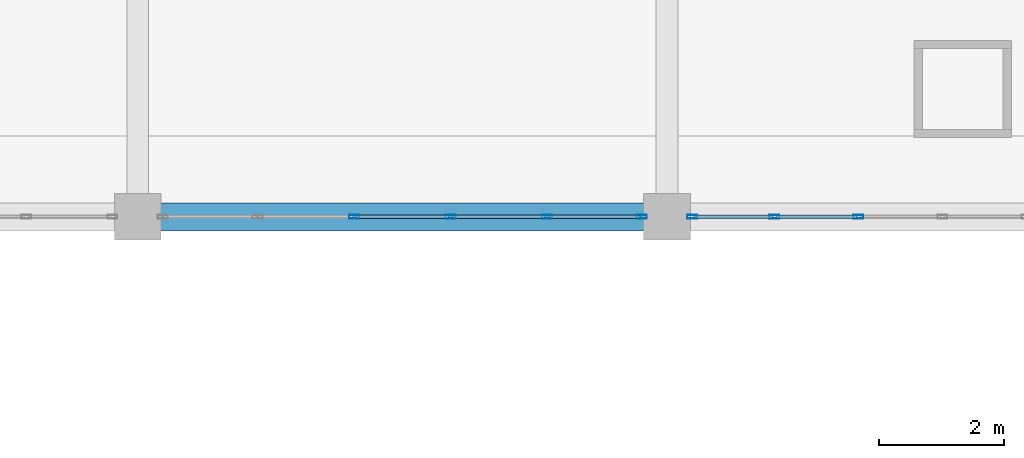
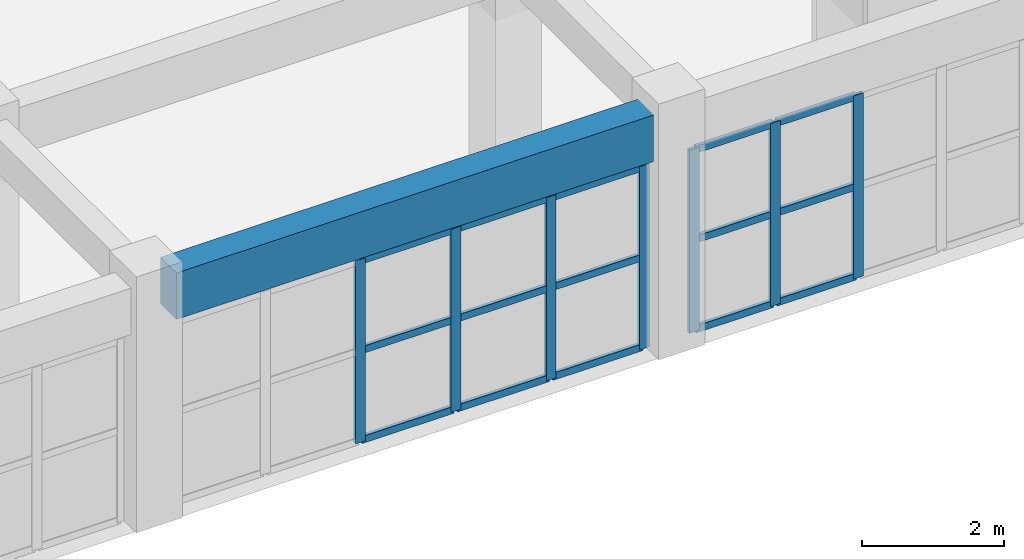
# One storey, part 43 of 90: 22 members, 1 beam, 2 elements without a shape of their own.
"""IFC4 building model written with IfcOpenShell, lengths in metres."""

from ifc_helpers import new_model, si_unit, direction, frame, origin, origin_2d, place, context, subcontext, project, spatial, rectangle, hollow_rectangle, extrude, material, layer, layer_set, material_profile, profile_set, type_object, element, aggregate, save


model = new_model("IFC4")

# Units and contexts
model_context = context("Model", 3, precision=1e-05, world=origin(), true_north=direction((0.0, 1.0)))
body_context = subcontext(model_context, "Body", "Model", "MODEL_VIEW")
ifc_project = project(units=[si_unit("LENGTHUNIT", "METRE"), si_unit("AREAUNIT", "SQUARE_METRE"), si_unit("VOLUMEUNIT", "CUBIC_METRE"), si_unit("PLANEANGLEUNIT", "RADIAN"), si_unit("MASSUNIT", "GRAM", prefix="KILO")], contexts=[model_context])

# Site, building, storey
site_placement = place(None, origin())
site = spatial("IfcSite", under=ifc_project, at=site_placement, CompositionType="ELEMENT")
building_placement = place(site_placement, origin())
building = spatial("IfcBuilding", under=site, at=building_placement, Name="Muzn Square Opera House", CompositionType="ELEMENT")
storey_placement = place(building_placement, frame((0.0, 0.0, 9.800048828125)))
storey = spatial("IfcBuildingStorey", under=building, at=storey_placement, Name="L02", CompositionType="ELEMENT", Elevation=9.800048828125)

# Curtain wall, members
ifc_material_1 = material(Name="Low-E laminated acoustic double glazing", Category="glass")
ifc_layer_1 = layer(ifc_material_1, 0.159912109375, Name="Low-E laminated acoustic double glazing", Category="glass")
ifc_layer_set_1 = layer_set([ifc_layer_1], Name="Low-E laminated acoustic double glazing")
curtain_wall_type_1 = type_object("IfcCurtainWallType", Name="Glazed Curtain Wall EastCloisterN 7750x3150", PredefinedType="USERDEFINED", material=ifc_layer_set_1)
curtain_wall_1_placement = place(storey_placement, origin())
curtain_wall_1 = element("IfcCurtainWall", 1, at=curtain_wall_1_placement, inside=storey, type_object=curtain_wall_type_1, Name="Glazed Curtain Wall CW-L02-102", ObjectType="GLAZED CURTAIN WALL", PredefinedType="USERDEFINED")
ifc_material_2 = material(Name="Anodised bronze aluminium 6063-T6", Category="metal")
ifc_material_profile_1 = material_profile(ifc_material_2, hollow_rectangle(XDim=0.06005859375, YDim=0.159912109375, WallThickness=0.00390625, at=origin_2d()), Name="ALU 160x60x4", Category="metal")
ifc_profile_set_1 = profile_set([ifc_material_profile_1], Name="Anodised bronze aluminium 6063-T6")
member_type_1 = type_object("IfcMemberType", Name="Curtain Wall Mullion 160x60", PredefinedType="MULLION", material=ifc_profile_set_1)
member_1_placement = place(storey_placement, frame((144.47509765625, 54.199951171875, 0.0), z_axis=(0.0, 0.0, 1.0), x_axis=(0.0, 1.0, 0.0)))
member_1 = element("IfcMember", 2, at=member_1_placement, type_object=member_type_1, Name="CW-ECN-77x31 mullion 3", PredefinedType="MULLION", context=body_context, shape_type="SweptSolid", body=[
    extrude(hollow_rectangle(XDim=0.06005859375, YDim=0.159912109375, WallThickness=0.00390625, at=origin_2d()), origin(), (0.0, 0.0, 1.0), 3.14990234375),
])
member_2_placement = place(storey_placement, frame((146.02490234375, 54.199951171875, 0.0), z_axis=(0.0, 0.0, 1.0), x_axis=(0.0, 1.0, 0.0)))
member_2 = element("IfcMember", 3, at=member_2_placement, type_object=member_type_1, Name="CW-ECN-77x31 mullion 4", PredefinedType="MULLION", context=body_context, shape_type="SweptSolid", body=[
    extrude(hollow_rectangle(XDim=0.06005859375, YDim=0.159912109375, WallThickness=0.00390625, at=origin_2d()), origin(), (0.0, 0.0, 1.0), 3.14990234375),
])
member_3_placement = place(storey_placement, frame((147.574951171875, 54.199951171875, 0.0), z_axis=(0.0, 0.0, 1.0), x_axis=(0.0, 1.0, 0.0)))
member_3 = element("IfcMember", 4, at=member_3_placement, type_object=member_type_1, Name="CW-ECN-77x31 mullion 5", PredefinedType="MULLION", context=body_context, shape_type="SweptSolid", body=[
    extrude(hollow_rectangle(XDim=0.06005859375, YDim=0.159912109375, WallThickness=0.00390625, at=origin_2d()), origin(), (0.0, 0.0, 1.0), 3.14990234375),
])
member_4_placement = place(storey_placement, frame((149.094970703125, 54.199951171875, 0.0), z_axis=(0.0, 0.0, 1.0), x_axis=(0.0, 1.0, 0.0)))
member_4 = element("IfcMember", 5, at=member_4_placement, type_object=member_type_1, Name="CW-ECN-77x31 mullion 6", PredefinedType="MULLION", context=body_context, shape_type="SweptSolid", body=[
    extrude(hollow_rectangle(XDim=0.06005859375, YDim=0.159912109375, WallThickness=0.00390625, at=origin_2d()), origin(), (0.0, 0.0, 1.0), 3.14990234375),
])

ifc_layer_2 = layer(ifc_material_1, 0.159912109375, Name="Low-E laminated acoustic double glazing", Category="glass")
ifc_layer_set_2 = layer_set([ifc_layer_2], Name="Low-E laminated acoustic double glazing")
curtain_wall_type_2 = type_object("IfcCurtainWallType", Name="Glazed Curtain Wall EastCloisterN 6750x3150", PredefinedType="USERDEFINED", material=ifc_layer_set_2)
curtain_wall_2_placement = place(storey_placement, origin())
curtain_wall_2 = element("IfcCurtainWall", 6, at=curtain_wall_2_placement, inside=storey, type_object=curtain_wall_type_2, Name="Glazed Curtain Wall CW-L02-104", ObjectType="GLAZED CURTAIN WALL", PredefinedType="USERDEFINED")
member_5_placement = place(storey_placement, frame((149.905029296875, 54.199951171875, 0.0), z_axis=(0.0, 0.0, 1.0), x_axis=(0.0, 1.0, 0.0)))
member_5 = element("IfcMember", 7, at=member_5_placement, type_object=member_type_1, Name="CW-ECN-67x31 mullion 1", PredefinedType="MULLION", context=body_context, shape_type="SweptSolid", body=[
    extrude(hollow_rectangle(XDim=0.06005859375, YDim=0.159912109375, WallThickness=0.00390625, at=origin_2d()), origin(), (0.0, 0.0, 1.0), 3.14990234375),
])
member_6_placement = place(storey_placement, frame((151.22509765625, 54.199951171875, 0.0), z_axis=(0.0, 0.0, 1.0), x_axis=(0.0, 1.0, 0.0)))
member_6 = element("IfcMember", 8, at=member_6_placement, type_object=member_type_1, Name="CW-ECN-67x31 mullion 2", PredefinedType="MULLION", context=body_context, shape_type="SweptSolid", body=[
    extrude(hollow_rectangle(XDim=0.06005859375, YDim=0.159912109375, WallThickness=0.00390625, at=origin_2d()), origin(), (0.0, 0.0, 1.0), 3.14990234375),
])
member_7_placement = place(storey_placement, frame((152.574951171875, 54.199951171875, 0.0), z_axis=(0.0, 0.0, 1.0), x_axis=(0.0, 1.0, 0.0)))
member_7 = element("IfcMember", 9, at=member_7_placement, type_object=member_type_1, Name="CW-ECN-67x31 mullion 3", PredefinedType="MULLION", context=body_context, shape_type="SweptSolid", body=[
    extrude(hollow_rectangle(XDim=0.06005859375, YDim=0.159912109375, WallThickness=0.00390625, at=origin_2d()), origin(), (0.0, 0.0, 1.0), 3.14990234375),
])

# Member
ifc_material_profile_2 = material_profile(ifc_material_2, hollow_rectangle(XDim=0.06005859375, YDim=0.1201171875, WallThickness=0.00390625, at=origin_2d()), Name="ALU 120x60x4", Category="metal")
ifc_profile_set_2 = profile_set([ifc_material_profile_2], Name="Anodised bronze aluminium 6063-T6")
member_type_2 = type_object("IfcMemberType", Name="Curtain Wall Transom 120x60", PredefinedType="USERDEFINED", material=ifc_profile_set_2)
member_8_placement = place(storey_placement, frame((144.5048828125, 54.199951171875, 0.030029296875), z_axis=(1.0, 0.0, 0.0), x_axis=(0.0, 1.0, 0.0)))
member_8 = element("IfcMember", 10, at=member_8_placement, type_object=member_type_2, Name="CW-ECN-77x31 transom 3.1", ObjectType="TRANSOM", PredefinedType="USERDEFINED", context=body_context, shape_type="SweptSolid", body=[
    extrude(hollow_rectangle(XDim=0.06005859375, YDim=0.1201171875, WallThickness=0.00390625, at=origin_2d()), origin(), (0.0, 0.0, 1.0), 1.490234375),
])

member_9_placement = place(storey_placement, frame((144.5048828125, 54.199951171875, 1.574951171875), z_axis=(1.0, 0.0, 0.0), x_axis=(0.0, 1.0, 0.0)))
member_9 = element("IfcMember", 11, at=member_9_placement, type_object=member_type_2, Name="CW-ECN-77x31 transom 3.2", ObjectType="TRANSOM", PredefinedType="USERDEFINED", context=body_context, shape_type="SweptSolid", body=[
    extrude(hollow_rectangle(XDim=0.06005859375, YDim=0.1201171875, WallThickness=0.00390625, at=origin_2d()), origin(), (0.0, 0.0, 1.0), 1.490234375),
])

member_10_placement = place(storey_placement, frame((144.5048828125, 54.199951171875, 3.119873046875), z_axis=(1.0, 0.0, 0.0), x_axis=(0.0, 1.0, 0.0)))
member_10 = element("IfcMember", 12, at=member_10_placement, type_object=member_type_2, Name="CW-ECN-77x31 transom 3.3", ObjectType="TRANSOM", PredefinedType="USERDEFINED", context=body_context, shape_type="SweptSolid", body=[
    extrude(hollow_rectangle(XDim=0.06005859375, YDim=0.1201171875, WallThickness=0.00390625, at=origin_2d()), origin(), (0.0, 0.0, 1.0), 1.490234375),
])

member_11_placement = place(storey_placement, frame((146.054931640625, 54.199951171875, 0.030029296875), z_axis=(1.0, 0.0, 0.0), x_axis=(0.0, 1.0, 0.0)))
member_11 = element("IfcMember", 13, at=member_11_placement, type_object=member_type_2, Name="CW-ECN-77x31 transom 4.1", ObjectType="TRANSOM", PredefinedType="USERDEFINED", context=body_context, shape_type="SweptSolid", body=[
    extrude(hollow_rectangle(XDim=0.06005859375, YDim=0.1201171875, WallThickness=0.00390625, at=origin_2d()), origin(), (0.0, 0.0, 1.0), 1.489990234375),
])

member_12_placement = place(storey_placement, frame((146.054931640625, 54.199951171875, 1.574951171875), z_axis=(1.0, 0.0, 0.0), x_axis=(0.0, 1.0, 0.0)))
member_12 = element("IfcMember", 14, at=member_12_placement, type_object=member_type_2, Name="CW-ECN-77x31 transom 4.2", ObjectType="TRANSOM", PredefinedType="USERDEFINED", context=body_context, shape_type="SweptSolid", body=[
    extrude(hollow_rectangle(XDim=0.06005859375, YDim=0.1201171875, WallThickness=0.00390625, at=origin_2d()), origin(), (0.0, 0.0, 1.0), 1.489990234375),
])

member_13_placement = place(storey_placement, frame((146.054931640625, 54.199951171875, 3.119873046875), z_axis=(1.0, 0.0, 0.0), x_axis=(0.0, 1.0, 0.0)))
member_13 = element("IfcMember", 15, at=member_13_placement, type_object=member_type_2, Name="CW-ECN-77x31 transom 4.3", ObjectType="TRANSOM", PredefinedType="USERDEFINED", context=body_context, shape_type="SweptSolid", body=[
    extrude(hollow_rectangle(XDim=0.06005859375, YDim=0.1201171875, WallThickness=0.00390625, at=origin_2d()), origin(), (0.0, 0.0, 1.0), 1.489990234375),
])

member_14_placement = place(storey_placement, frame((147.60498046875, 54.199951171875, 0.030029296875), z_axis=(1.0, 0.0, 0.0), x_axis=(0.0, 1.0, 0.0)))
member_14 = element("IfcMember", 16, at=member_14_placement, type_object=member_type_2, Name="CW-ECN-77x31 transom 5.1", ObjectType="TRANSOM", PredefinedType="USERDEFINED", context=body_context, shape_type="SweptSolid", body=[
    extrude(hollow_rectangle(XDim=0.06005859375, YDim=0.1201171875, WallThickness=0.00390625, at=origin_2d()), origin(), (0.0, 0.0, 1.0), 1.4599609375),
])

member_15_placement = place(storey_placement, frame((147.60498046875, 54.199951171875, 1.574951171875), z_axis=(1.0, 0.0, 0.0), x_axis=(0.0, 1.0, 0.0)))
member_15 = element("IfcMember", 17, at=member_15_placement, type_object=member_type_2, Name="CW-ECN-77x31 transom 5.2", ObjectType="TRANSOM", PredefinedType="USERDEFINED", context=body_context, shape_type="SweptSolid", body=[
    extrude(hollow_rectangle(XDim=0.06005859375, YDim=0.1201171875, WallThickness=0.00390625, at=origin_2d()), origin(), (0.0, 0.0, 1.0), 1.4599609375),
])

member_16_placement = place(storey_placement, frame((147.60498046875, 54.199951171875, 3.119873046875), z_axis=(1.0, 0.0, 0.0), x_axis=(0.0, 1.0, 0.0)))
member_16 = element("IfcMember", 18, at=member_16_placement, type_object=member_type_2, Name="CW-ECN-77x31 transom 5.3", ObjectType="TRANSOM", PredefinedType="USERDEFINED", context=body_context, shape_type="SweptSolid", body=[
    extrude(hollow_rectangle(XDim=0.06005859375, YDim=0.1201171875, WallThickness=0.00390625, at=origin_2d()), origin(), (0.0, 0.0, 1.0), 1.4599609375),
])

aggregate(curtain_wall_1, [member_1, member_2, member_3, member_4, member_8, member_9, member_10, member_11, member_12, member_13, member_14, member_15, member_16])

member_17_placement = place(storey_placement, frame((149.93505859375, 54.199951171875, 0.030029296875), z_axis=(1.0, 0.0, 0.0), x_axis=(0.0, 1.0, 0.0)))
member_17 = element("IfcMember", 19, at=member_17_placement, type_object=member_type_2, Name="CW-ECN-67x31 transom 1.1", ObjectType="TRANSOM", PredefinedType="USERDEFINED", context=body_context, shape_type="SweptSolid", body=[
    extrude(hollow_rectangle(XDim=0.06005859375, YDim=0.1201171875, WallThickness=0.00390625, at=origin_2d()), origin(), (0.0, 0.0, 1.0), 1.260009765625),
])

member_18_placement = place(storey_placement, frame((149.93505859375, 54.199951171875, 1.574951171875), z_axis=(1.0, 0.0, 0.0), x_axis=(0.0, 1.0, 0.0)))
member_18 = element("IfcMember", 20, at=member_18_placement, type_object=member_type_2, Name="CW-ECN-67x31 transom 1.2", ObjectType="TRANSOM", PredefinedType="USERDEFINED", context=body_context, shape_type="SweptSolid", body=[
    extrude(hollow_rectangle(XDim=0.06005859375, YDim=0.1201171875, WallThickness=0.00390625, at=origin_2d()), origin(), (0.0, 0.0, 1.0), 1.260009765625),
])

member_19_placement = place(storey_placement, frame((149.93505859375, 54.199951171875, 3.119873046875), z_axis=(1.0, 0.0, 0.0), x_axis=(0.0, 1.0, 0.0)))
member_19 = element("IfcMember", 21, at=member_19_placement, type_object=member_type_2, Name="CW-ECN-67x31 transom 1.3", ObjectType="TRANSOM", PredefinedType="USERDEFINED", context=body_context, shape_type="SweptSolid", body=[
    extrude(hollow_rectangle(XDim=0.06005859375, YDim=0.1201171875, WallThickness=0.00390625, at=origin_2d()), origin(), (0.0, 0.0, 1.0), 1.260009765625),
])

member_20_placement = place(storey_placement, frame((151.2548828125, 54.199951171875, 0.030029296875), z_axis=(1.0, 0.0, 0.0), x_axis=(0.0, 1.0, 0.0)))
member_20 = element("IfcMember", 22, at=member_20_placement, type_object=member_type_2, Name="CW-ECN-67x31 transom 2.1", ObjectType="TRANSOM", PredefinedType="USERDEFINED", context=body_context, shape_type="SweptSolid", body=[
    extrude(hollow_rectangle(XDim=0.06005859375, YDim=0.1201171875, WallThickness=0.00390625, at=origin_2d()), origin(), (0.0, 0.0, 1.0), 1.2900390625),
])

member_21_placement = place(storey_placement, frame((151.2548828125, 54.199951171875, 1.574951171875), z_axis=(1.0, 0.0, 0.0), x_axis=(0.0, 1.0, 0.0)))
member_21 = element("IfcMember", 23, at=member_21_placement, type_object=member_type_2, Name="CW-ECN-67x31 transom 2.2", ObjectType="TRANSOM", PredefinedType="USERDEFINED", context=body_context, shape_type="SweptSolid", body=[
    extrude(hollow_rectangle(XDim=0.06005859375, YDim=0.1201171875, WallThickness=0.00390625, at=origin_2d()), origin(), (0.0, 0.0, 1.0), 1.2900390625),
])

member_22_placement = place(storey_placement, frame((151.2548828125, 54.199951171875, 3.119873046875), z_axis=(1.0, 0.0, 0.0), x_axis=(0.0, 1.0, 0.0)))
member_22 = element("IfcMember", 24, at=member_22_placement, type_object=member_type_2, Name="CW-ECN-67x31 transom 2.3", ObjectType="TRANSOM", PredefinedType="USERDEFINED", context=body_context, shape_type="SweptSolid", body=[
    extrude(hollow_rectangle(XDim=0.06005859375, YDim=0.1201171875, WallThickness=0.00390625, at=origin_2d()), origin(), (0.0, 0.0, 1.0), 1.2900390625),
])

aggregate(curtain_wall_2, [member_5, member_6, member_7, member_17, member_18, member_19, member_20, member_21, member_22])

# Beam
ifc_material_3 = material(Name="Concrete C40/50", Category="concrete")
ifc_material_profile_3 = material_profile(ifc_material_3, rectangle(XDim=0.449951171875, YDim=0.800048828125, at=origin_2d()), Name="RCB 450x800", Category="concrete")
ifc_profile_set_3 = profile_set([ifc_material_profile_3], Name="Concrete C40/50")
beam_type = type_object("IfcBeamType", Name="Primary Girder 450x800", PredefinedType="BEAM", material=ifc_profile_set_3)
beam_placement = place(storey_placement, frame((141.366943359375, 54.199951171875, 3.719970703125), z_axis=(1.0, 0.0, 0.0), x_axis=(0.0, 1.0, 0.0)))
element("IfcBeam", 25, at=beam_placement, inside=storey, type_object=beam_type, Name="Primary Girder BM-L02-BM-PG800-1414_542_1491_542-2013", PredefinedType="BEAM", context=body_context, shape_type="SweptSolid", body=[
    extrude(rectangle(XDim=0.449951171875, YDim=0.800048828125, at=origin_2d()), origin(), (0.0, 0.0, 1.0), 7.76611328125),
])

save(model, "model.ifc")
